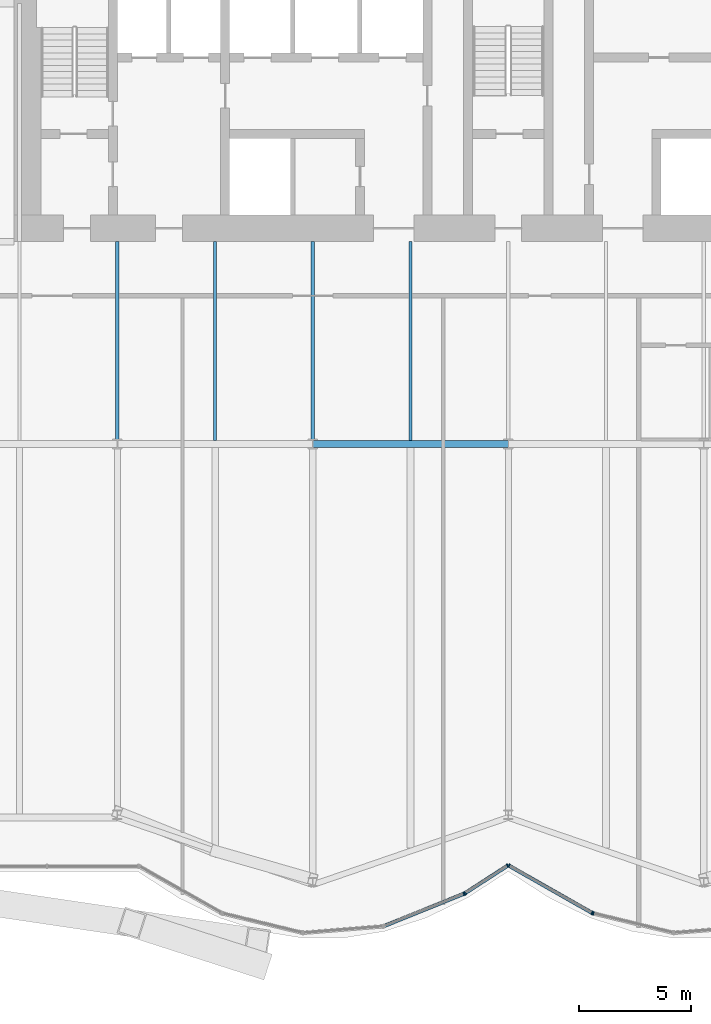
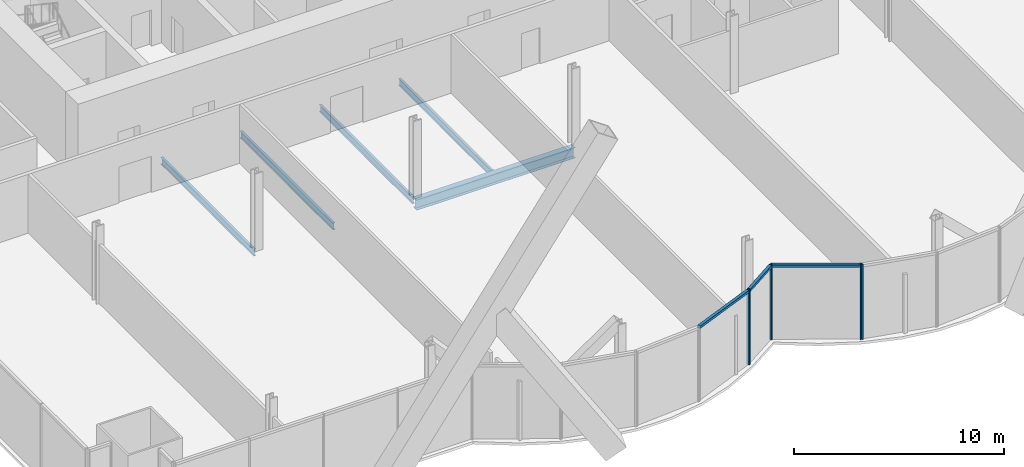
# One storey, part 8 of 23: 9 members, 5 beams, 2 elements without a shape of their own.
"""IFC4 building model written with IfcOpenShell, lengths in metres."""

from ifc_helpers import new_model, si_unit, direction, frame, origin, origin_2d, place, context, subcontext, project, spatial, rectangle, i_section, extrude, material, material_profile, profile_set, type_object, element, aggregate, save


model = new_model("IFC4")

# Units and contexts
model_context = context("Model", 3, precision=1e-05, world=origin(), true_north=direction((0.0, 1.0)))
body_context = subcontext(model_context, "Body", "Model", "MODEL_VIEW")
ifc_project = project(units=[si_unit("LENGTHUNIT", "METRE"), si_unit("AREAUNIT", "SQUARE_METRE"), si_unit("VOLUMEUNIT", "CUBIC_METRE"), si_unit("PLANEANGLEUNIT", "RADIAN"), si_unit("MASSUNIT", "GRAM", prefix="KILO")], contexts=[model_context])

# Site, building, storey
site_placement = place(None, origin())
site = spatial("IfcSite", under=ifc_project, at=site_placement, CompositionType="ELEMENT")
building_placement = place(site_placement, origin())
building = spatial("IfcBuilding", under=site, at=building_placement, Name="Bicima Exchange Tower", CompositionType="ELEMENT")
storey_placement = place(building_placement, frame((0.0, 0.0, 53.0)))
storey = spatial("IfcBuildingStorey", under=building, at=storey_placement, Name="L10", CompositionType="ELEMENT", Elevation=53.0)

# Beams
ifc_material_1 = material(Name="Steel ASTM A992 Gr 50", Category="steel")
ifc_material_profile_1 = material_profile(ifc_material_1, i_section(OverallWidth=0.140380859375, OverallDepth=0.40380859375, WebThickness=0.007080078125, FlangeThickness=0.01123046875, at=origin_2d()))
ifc_profile_set_1 = profile_set([ifc_material_profile_1], Name="Steel ASTM A992 Gr 50")
beam_type_1 = type_object("IfcBeamType", Name="Floor beam W16x31", PredefinedType="JOIST", material=ifc_profile_set_1)
for number, where, z_axis, x_axis, name in (
    (1, (-17.39990234375, -13.0, -0.351806640625), (0.0, -1.0, 0.0), (1.0, 0.0, 0.0), "Floor beam"),
    (2, (-13.050048828125, -13.0, -0.351806640625), (0.0, -1.0, 0.0), (1.0, 0.0, 0.0), "Floor beam"),
    (3, (-8.699951171875, -13.0, -0.351806640625), (0.0, -1.0, 0.0), (1.0, 0.0, 0.0), "Floor beam"),
    (4, (-4.35009765625, -13.0, -0.351806640625), (0.0, -1.0, 0.0), (1.0, 0.0, 0.0), "Floor beam"),
):
    element("IfcBeam", number, at=place(storey_placement, frame(where, z_axis=z_axis, x_axis=x_axis)), inside=storey, type_object=beam_type_1, Name=name, PredefinedType="JOIST", context=body_context, shape_type="SweptSolid", body=[
        extrude(i_section(OverallWidth=0.140380859375, OverallDepth=0.40380859375, WebThickness=0.007080078125, FlangeThickness=0.01123046875, at=origin_2d()), origin(), (0.0, 0.0, 1.0), 8.83740234375),
    ])

# Curtain wall, members
ifc_material_2 = material(Name="Anodised bronze aluminium", Category="aluminium")
curtain_wall_type = type_object("IfcCurtainWallType", Name="Front glass wall", PredefinedType="NOTDEFINED", material=ifc_material_2)
curtain_wall_1_placement = place(storey_placement, origin())
curtain_wall_1 = element("IfcCurtainWall", 5, at=curtain_wall_1_placement, inside=storey, type_object=curtain_wall_type, Name="Front glass wall L10 run 6", PredefinedType="NOTDEFINED")
ifc_material_profile_2 = material_profile(ifc_material_2, rectangle(XDim=0.159912109375, YDim=0.06005859375, at=origin_2d()))
ifc_profile_set_2 = profile_set([ifc_material_profile_2], Name="Anodised bronze aluminium")
member_type_1 = type_object("IfcMemberType", Name="Front glass wall mullion 60 x 160", PredefinedType="MULLION", material=ifc_profile_set_2)
member_1_placement = place(storey_placement, frame((-1.97412109375, -42.01953125, 0.0), z_axis=(0.0, 0.0, 1.0), x_axis=(-0.374705304, 0.92714396679, 0.0)))
member_1 = element("IfcMember", 6, at=member_1_placement, type_object=member_type_1, Name="Front glass wall mullion 2", PredefinedType="MULLION", context=body_context, shape_type="SweptSolid", body=[
    extrude(rectangle(XDim=0.159912109375, YDim=0.06005859375, at=origin_2d()), origin(), (0.0, 0.0, 1.0), 4.35009765625),
])
member_2_placement = place(storey_placement, frame((-1.921142578125, -41.9921875, 0.0), z_axis=(0.0, 0.0, 1.0), x_axis=(-0.542897457326, 0.839798994301, 0.0)))
member_2 = element("IfcMember", 7, at=member_2_placement, type_object=member_type_1, Name="Front glass wall mullion 1", PredefinedType="MULLION", context=body_context, shape_type="SweptSolid", body=[
    extrude(rectangle(XDim=0.159912109375, YDim=0.06005859375, at=origin_2d()), origin(), (0.0, 0.0, 1.0), 4.35009765625),
])
member_3_placement = place(storey_placement, frame((-0.025146484375, -40.766357421875, 0.0), z_axis=(0.0, 0.0, 1.0), x_axis=(-0.542897457326, 0.839798994301, 0.0)))
member_3 = element("IfcMember", 8, at=member_3_placement, type_object=member_type_1, Name="Front glass wall mullion 2", PredefinedType="MULLION", context=body_context, shape_type="SweptSolid", body=[
    extrude(rectangle(XDim=0.159912109375, YDim=0.06005859375, at=origin_2d()), origin(), (0.0, 0.0, 1.0), 4.35009765625),
])

curtain_wall_2_placement = place(storey_placement, origin())
curtain_wall_2 = element("IfcCurtainWall", 9, at=curtain_wall_2_placement, inside=storey, type_object=curtain_wall_type, Name="Front glass wall L10 run 11", PredefinedType="NOTDEFINED")
member_4_placement = place(storey_placement, frame((0.026123046875, -40.764892578125, 0.0), z_axis=(0.0, 0.0, 1.0), x_axis=(0.494330311331, 0.869274147378, 0.0)))
member_4 = element("IfcMember", 10, at=member_4_placement, type_object=member_type_1, Name="Front glass wall mullion 1", PredefinedType="MULLION", context=body_context, shape_type="SweptSolid", body=[
    extrude(rectangle(XDim=0.159912109375, YDim=0.06005859375, at=origin_2d()), origin(), (0.0, 0.0, 1.0), 4.35009765625),
])
member_5_placement = place(storey_placement, frame((3.7265625, -42.869384765625, 0.0), z_axis=(0.0, 0.0, 1.0), x_axis=(0.494330311331, 0.869274147378, 0.0)))
member_5 = element("IfcMember", 11, at=member_5_placement, type_object=member_type_1, Name="Front glass wall mullion 2", PredefinedType="MULLION", context=body_context, shape_type="SweptSolid", body=[
    extrude(rectangle(XDim=0.159912109375, YDim=0.06005859375, at=origin_2d()), origin(), (0.0, 0.0, 1.0), 4.35009765625),
])
member_6_placement = place(storey_placement, frame((3.781982421875, -42.891357421875, 0.0), z_axis=(0.0, 0.0, 1.0), x_axis=(0.235681529503, 0.971830343553, 0.0)))
member_6 = element("IfcMember", 12, at=member_6_placement, type_object=member_type_1, Name="Front glass wall mullion 1", PredefinedType="MULLION", context=body_context, shape_type="SweptSolid", body=[
    extrude(rectangle(XDim=0.159912109375, YDim=0.06005859375, at=origin_2d()), origin(), (0.0, 0.0, 1.0), 4.35009765625),
])

# Member
ifc_material_profile_3 = material_profile(ifc_material_2, rectangle(XDim=0.159912109375, YDim=0.139892578125, at=origin_2d()))
ifc_profile_set_3 = profile_set([ifc_material_profile_3], Name="Anodised bronze aluminium")
member_type_2 = type_object("IfcMemberType", Name="Front glass wall transom 140 x 160", PredefinedType="USERDEFINED", material=ifc_profile_set_3)
member_7_placement = place(storey_placement, frame((-5.498291015625, -43.44384765625, 4.280029296875), z_axis=(0.927140215882, 0.374714584842, 0.0), x_axis=(-0.374714584842, 0.927140215882, 0.0)))
member_7 = element("IfcMember", 13, at=member_7_placement, type_object=member_type_2, Name="Front glass wall transom 1.1", ObjectType="TRANSOM", PredefinedType="USERDEFINED", context=body_context, shape_type="SweptSolid", body=[
    extrude(rectangle(XDim=0.159912109375, YDim=0.139892578125, at=origin_2d()), origin(), (0.0, 0.0, 1.0), 3.77099609375),
])

member_8_placement = place(storey_placement, frame((-1.89599609375, -41.975830078125, 4.280029296875), z_axis=(0.839811483481, 0.542878137536, 0.0), x_axis=(-0.542878137536, 0.839811483481, 0.0)))
member_8 = element("IfcMember", 14, at=member_8_placement, type_object=member_type_2, Name="Front glass wall transom 1.1", ObjectType="TRANSOM", PredefinedType="USERDEFINED", context=body_context, shape_type="SweptSolid", body=[
    extrude(rectangle(XDim=0.159912109375, YDim=0.139892578125, at=origin_2d()), origin(), (0.0, 0.0, 1.0), 2.19775390625),
])

aggregate(curtain_wall_1, [member_1, member_7, member_2, member_3, member_8])

member_9_placement = place(storey_placement, frame((0.05224609375, -40.77978515625, 4.280029296875), z_axis=(0.869265121745, -0.494346182466, 0.0), x_axis=(0.494346182466, 0.869265121745, 0.0)))
member_9 = element("IfcMember", 15, at=member_9_placement, type_object=member_type_2, Name="Front glass wall transom 1.1", ObjectType="TRANSOM", PredefinedType="USERDEFINED", context=body_context, shape_type="SweptSolid", body=[
    extrude(rectangle(XDim=0.159912109375, YDim=0.139892578125, at=origin_2d()), origin(), (0.0, 0.0, 1.0), 4.19677734375),
])

aggregate(curtain_wall_2, [member_4, member_5, member_9, member_6])

# Beam
ifc_material_profile_4 = material_profile(ifc_material_1, i_section(OverallWidth=0.3251953125, OverallDepth=0.612060546875, WebThickness=0.0126953125, FlangeThickness=0.01904296875, at=origin_2d()))
ifc_profile_set_4 = profile_set([ifc_material_profile_4], Name="Steel ASTM A992 Gr 50")
beam_type_2 = type_object("IfcBeamType", Name="Row girder W24x104", PredefinedType="BEAM", material=ifc_profile_set_4)
beam_placement = place(storey_placement, frame((-8.699951171875, -22.0, -0.4560546875), z_axis=(1.0, 0.0, 0.0), x_axis=(0.0, 1.0, 0.0)))
element("IfcBeam", 16, at=beam_placement, inside=storey, type_object=beam_type_2, Name="Row girder", PredefinedType="BEAM", context=body_context, shape_type="SweptSolid", body=[
    extrude(i_section(OverallWidth=0.3251953125, OverallDepth=0.612060546875, WebThickness=0.0126953125, FlangeThickness=0.01904296875, at=origin_2d()), origin(), (0.0, 0.0, 1.0), 8.699951171875),
])

save(model, "model.ifc")
